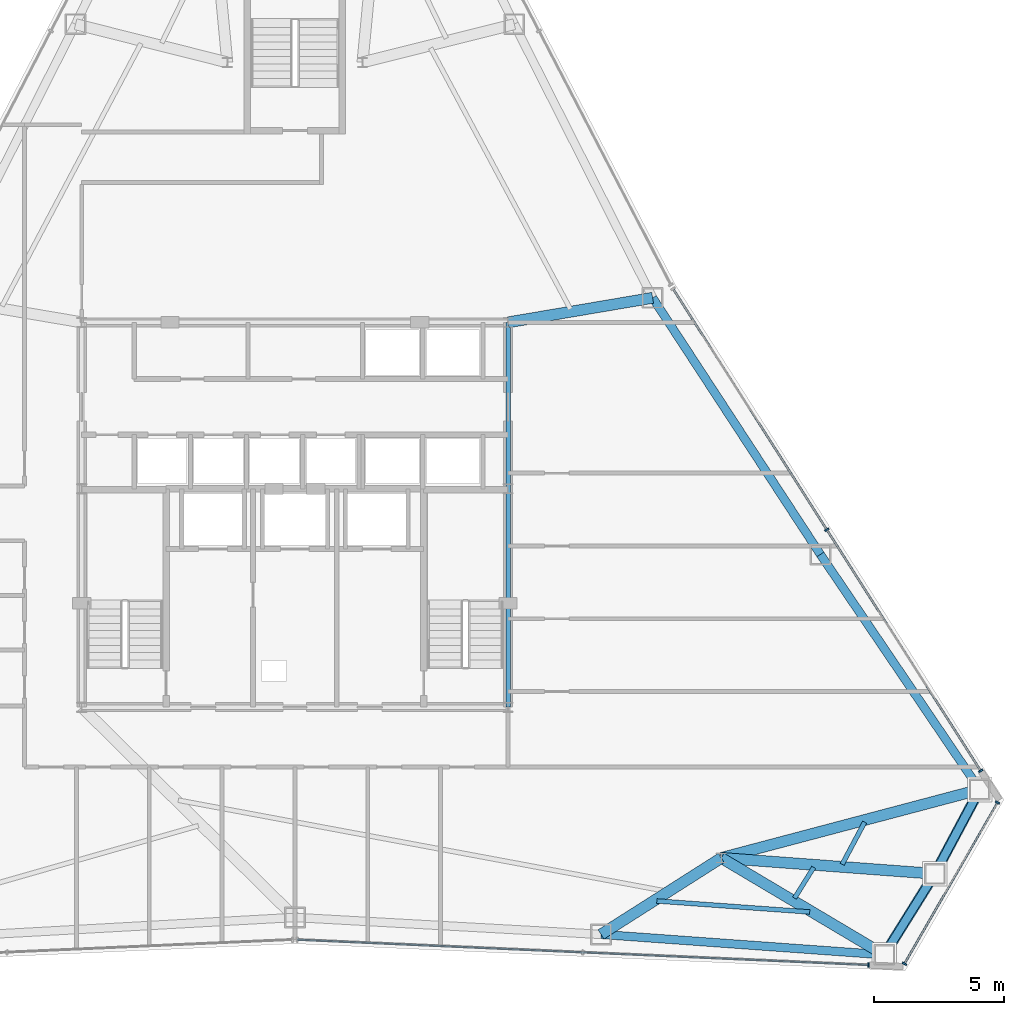
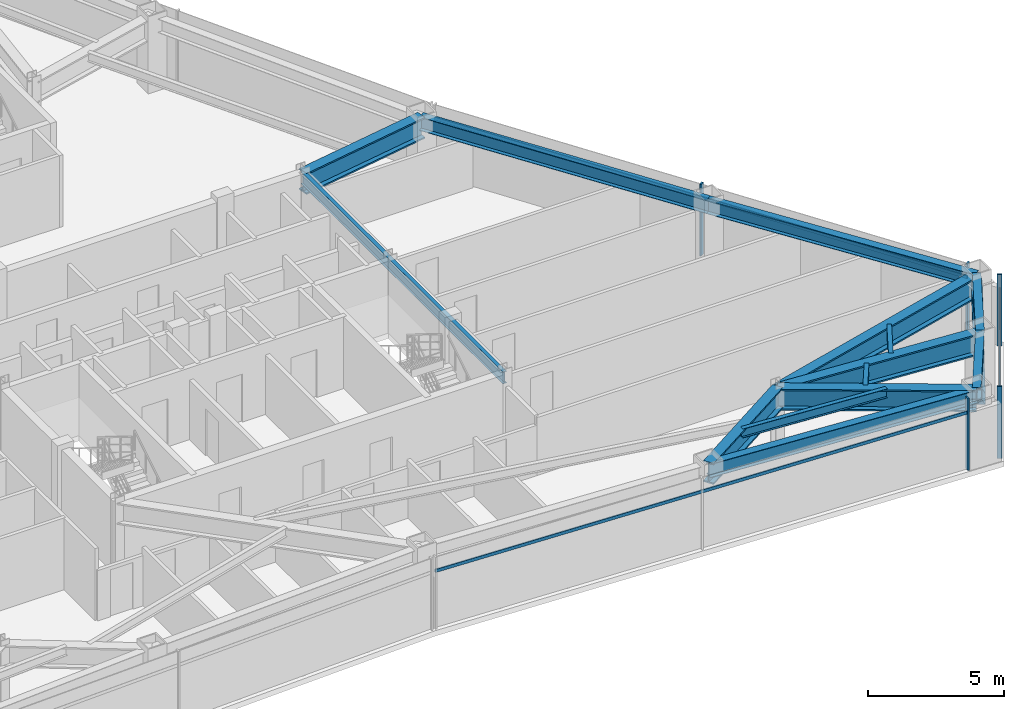
# One storey, part 7 of 13: 14 beams, 10 members, 3 elements without a shape of their own.
"""IFC4 building model written with IfcOpenShell, lengths in metres."""

from ifc_helpers import new_model, si_unit, direction, frame, origin, origin_2d, place, context, subcontext, project, spatial, rectangle, hollow_rectangle, i_section, extrude, source, transform, mapped, material, layer, layer_set, material_profile, profile_set, type_object, type_shapes, element, aggregate, save


model = new_model("IFC4")

# Units and contexts
model_context = context("Model", 3, precision=1e-05, world=origin(), true_north=direction((0.0, 1.0)))
body_context = subcontext(model_context, "Body", "Model", "MODEL_VIEW")
ifc_project = project(units=[si_unit("LENGTHUNIT", "METRE"), si_unit("AREAUNIT", "SQUARE_METRE"), si_unit("VOLUMEUNIT", "CUBIC_METRE"), si_unit("PLANEANGLEUNIT", "RADIAN"), si_unit("MASSUNIT", "GRAM", prefix="KILO")], contexts=[model_context])

# Site, building, storey
site_placement = place(None, origin())
site = spatial("IfcSite", under=ifc_project, at=site_placement, CompositionType="ELEMENT")
building_placement = place(site_placement, origin())
building = spatial("IfcBuilding", under=site, at=building_placement, Name="Varakhsha Concourse Tower", CompositionType="ELEMENT")
storey_placement = place(building_placement, frame((0.0, 0.0, 186.14990234375)))
storey = spatial("IfcBuildingStorey", under=building, at=storey_placement, Name="L53", CompositionType="ELEMENT", Elevation=186.14990234375)

# Beams
ifc_material_1 = material(Name="Structural Steel ASTM A992 Grade 50", Category="steel")
ifc_material_profile_1 = material_profile(ifc_material_1, i_section(OverallWidth=0.177978515625, OverallDepth=0.406982421875, WebThickness=0.008056640625, FlangeThickness=0.012939453125, at=origin_2d()), Name="W16X40")
ifc_profile_set_1 = profile_set([ifc_material_profile_1], Name="Structural Steel ASTM A992 Grade 50")
beam_type_1 = type_object("IfcBeamType", Name="BM-JST-W16X40", PredefinedType="JOIST", material=ifc_profile_set_1)
beam_1_placement = place(storey_placement, frame((53.919921875, 8.9453125, 3.006591796875), z_axis=(0.99741309669, -0.071882644298, 0.0), x_axis=(0.071882644298, 0.99741309669, 0.0)))
element("IfcBeam", 1, at=beam_1_placement, inside=storey, type_object=beam_type_1, Name="BM-TJST-L53-12", PredefinedType="JOIST", context=body_context, shape_type="SweptSolid", body=[
    extrude(i_section(OverallWidth=0.177978515625, OverallDepth=0.406982421875, WebThickness=0.008056640625, FlangeThickness=0.012939453125, at=origin_2d()), origin(), (0.0, 0.0, 1.0), 5.89599609375),
])
beam_2_placement = place(storey_placement, frame((59.216552734375, 9.05419921875, 3.006591796875), z_axis=(0.528881928693, 0.848695413857, 0.0), x_axis=(-0.848695413857, 0.528881928693, 0.0)))
element("IfcBeam", 2, at=beam_2_placement, inside=storey, type_object=beam_type_1, Name="BM-TJST-L53-13", PredefinedType="JOIST", context=body_context, shape_type="SweptSolid", body=[
    extrude(i_section(OverallWidth=0.177978515625, OverallDepth=0.406982421875, WebThickness=0.008056640625, FlangeThickness=0.012939453125, at=origin_2d()), origin(), (0.0, 0.0, 1.0), 1.3955078125),
])
beam_3_placement = place(storey_placement, frame((61.0498046875, 10.35595703125, 3.006591796875), z_axis=(0.470615835547, 0.882338220487, 0.0), x_axis=(-0.882338220487, 0.470615835547, 0.0)))
element("IfcBeam", 3, at=beam_3_placement, inside=storey, type_object=beam_type_1, Name="BM-TJST-L53-14", PredefinedType="JOIST", context=body_context, shape_type="SweptSolid", body=[
    extrude(i_section(OverallWidth=0.177978515625, OverallDepth=0.406982421875, WebThickness=0.008056640625, FlangeThickness=0.012939453125, at=origin_2d()), origin(), (0.0, 0.0, 1.0), 1.83642578125),
])
ifc_material_profile_2 = material_profile(ifc_material_1, i_section(OverallWidth=0.423095703125, OverallDepth=0.947998046875, WebThickness=0.0380859375, FlangeThickness=0.06396484375, at=origin_2d()), Name="W36X302")
ifc_profile_set_2 = profile_set([ifc_material_profile_2], Name="Structural Steel ASTM A992 Grade 50")
beam_type_2 = type_object("IfcBeamType", Name="BM-OUTR-W36X302", PredefinedType="USERDEFINED", material=ifc_profile_set_2)
beam_4_placement = place(storey_placement, frame((56.39990234375, 10.60009765625, 2.736083984375), z_axis=(-0.843843041269, -0.536590087218, 0.0), x_axis=(0.536590087218, -0.843843041269, 0.0)))
element("IfcBeam", 4, at=beam_4_placement, inside=storey, type_object=beam_type_2, Name="L53 Radial Floor Girder 12", ObjectType="GIRDER", PredefinedType="USERDEFINED", context=body_context, shape_type="SweptSolid", body=[
    extrude(i_section(OverallWidth=0.423095703125, OverallDepth=0.947998046875, WebThickness=0.0380859375, FlangeThickness=0.06396484375, at=origin_2d()), origin(), (0.0, 0.0, 1.0), 5.480224609375),
])
beam_5_placement = place(storey_placement, frame((56.39990234375, 10.60009765625, 2.736083984375), z_axis=(0.859653517762, -0.510877509193, 0.0), x_axis=(0.510877509193, 0.859653517762, 0.0)))
element("IfcBeam", 5, at=beam_5_placement, inside=storey, type_object=beam_type_2, Name="L53 Radial Floor Girder 13", ObjectType="GIRDER", PredefinedType="USERDEFINED", context=body_context, shape_type="SweptSolid", body=[
    extrude(i_section(OverallWidth=0.423095703125, OverallDepth=0.947998046875, WebThickness=0.0380859375, FlangeThickness=0.06396484375, at=origin_2d()), origin(), (0.0, 0.0, 1.0), 7.29248046875),
])
beam_6_placement = place(storey_placement, frame((56.39990234375, 10.60009765625, 2.736083984375), z_axis=(0.997259576834, -0.073982000601, 0.0), x_axis=(0.073982000601, 0.997259576834, 0.0)))
element("IfcBeam", 6, at=beam_6_placement, inside=storey, type_object=beam_type_2, Name="L53 Radial Floor Girder 14", ObjectType="GIRDER", PredefinedType="USERDEFINED", context=body_context, shape_type="SweptSolid", body=[
    extrude(i_section(OverallWidth=0.423095703125, OverallDepth=0.947998046875, WebThickness=0.0380859375, FlangeThickness=0.06396484375, at=origin_2d()), origin(), (0.0, 0.0, 1.0), 8.2333984375),
])
beam_7_placement = place(storey_placement, frame((56.39990234375, 10.60009765625, 2.736083984375), z_axis=(0.966706264469, 0.255888644213, 0.0), x_axis=(-0.255888644213, 0.966706264469, 0.0)))
element("IfcBeam", 7, at=beam_7_placement, inside=storey, type_object=beam_type_2, Name="L53 Radial Floor Girder 15", ObjectType="GIRDER", PredefinedType="USERDEFINED", context=body_context, shape_type="SweptSolid", body=[
    extrude(i_section(OverallWidth=0.423095703125, OverallDepth=0.947998046875, WebThickness=0.0380859375, FlangeThickness=0.06396484375, at=origin_2d()), origin(), (0.0, 0.0, 1.0), 10.28125),
])
beam_8_placement = place(storey_placement, frame((48.199951171875, 31.199951171875, 2.736083984375), z_axis=(0.985890879111, 0.167389290235, 0.0), x_axis=(-0.167389290235, 0.985890879111, 0.0)))
element("IfcBeam", 8, at=beam_8_placement, inside=storey, type_object=beam_type_2, Name="L53 Radial Floor Girder 17", ObjectType="GIRDER", PredefinedType="USERDEFINED", context=body_context, shape_type="SweptSolid", body=[
    extrude(i_section(OverallWidth=0.423095703125, OverallDepth=0.947998046875, WebThickness=0.0380859375, FlangeThickness=0.06396484375, at=origin_2d()), origin(), (0.0, 0.0, 1.0), 5.638671875),
])
ifc_material_profile_3 = material_profile(ifc_material_1, i_section(OverallWidth=0.1669921875, OverallDepth=0.534912109375, WebThickness=0.010009765625, FlangeThickness=0.01708984375, at=origin_2d()), Name="W21X57")
ifc_profile_set_3 = profile_set([ifc_material_profile_3], Name="Structural Steel ASTM A992 Grade 50")
beam_type_3 = type_object("IfcBeamType", Name="BM-RAD-W21X57", PredefinedType="BEAM", material=ifc_profile_set_3)
beam_9_placement = place(storey_placement, frame((48.199951171875, 16.39990234375, 2.942626953125), z_axis=(0.0, 1.0, 0.0), x_axis=(-1.0, 0.0, 0.0)))
element("IfcBeam", 9, at=beam_9_placement, inside=storey, type_object=beam_type_3, Name="BM-TCORE-L53-CE", PredefinedType="BEAM", context=body_context, shape_type="SweptSolid", body=[
    extrude(i_section(OverallWidth=0.1669921875, OverallDepth=0.534912109375, WebThickness=0.010009765625, FlangeThickness=0.01708984375, at=origin_2d()), origin(), (0.0, 0.0, 1.0), 14.800048828125),
])
ifc_material_profile_4 = material_profile(ifc_material_1, i_section(OverallWidth=0.323974609375, OverallDepth=0.611083984375, WebThickness=0.012939453125, FlangeThickness=0.01904296875, at=origin_2d()), Name="W24X104")
ifc_profile_set_4 = profile_set([ifc_material_profile_4], Name="Structural Steel ASTM A992 Grade 50")
beam_type_4 = type_object("IfcBeamType", Name="BM-SPAN-W24X104", PredefinedType="SPANDREL", material=ifc_profile_set_4)
beam_10_placement = place(storey_placement, frame((51.775390625, 7.659423828125, 2.904541015625), z_axis=(0.997414254254, -0.071866580624, 0.0), x_axis=(0.071866580624, 0.997414254254, 0.0)))
element("IfcBeam", 10, at=beam_10_placement, inside=storey, type_object=beam_type_4, Name="BM-SPAN-L53-12", PredefinedType="SPANDREL", context=body_context, shape_type="SweptSolid", body=[
    extrude(i_section(OverallWidth=0.323974609375, OverallDepth=0.611083984375, WebThickness=0.012939453125, FlangeThickness=0.01904296875, at=origin_2d()), origin(), (0.0, 0.0, 1.0), 10.921875),
])
beam_11_placement = place(storey_placement, frame((62.6689453125, 6.87451171875, 2.904541015625), z_axis=(0.528844996181, 0.848718427993, 0.0), x_axis=(-0.848718427993, 0.528844996181, 0.0)))
element("IfcBeam", 11, at=beam_11_placement, inside=storey, type_object=beam_type_4, Name="BM-SPAN-L53-13", PredefinedType="SPANDREL", context=body_context, shape_type="SweptSolid", body=[
    extrude(i_section(OverallWidth=0.323974609375, OverallDepth=0.611083984375, WebThickness=0.012939453125, FlangeThickness=0.01904296875, at=origin_2d()), origin(), (0.0, 0.0, 1.0), 3.671875),
])
beam_12_placement = place(storey_placement, frame((64.61083984375, 9.990966796875, 2.904541015625), z_axis=(0.470595137047, 0.882349260207, 0.0), x_axis=(-0.882349260207, 0.470595137047, 0.0)))
element("IfcBeam", 12, at=beam_12_placement, inside=storey, type_object=beam_type_4, Name="BM-SPAN-L53-14", PredefinedType="SPANDREL", context=body_context, shape_type="SweptSolid", body=[
    extrude(i_section(OverallWidth=0.323974609375, OverallDepth=0.611083984375, WebThickness=0.012939453125, FlangeThickness=0.01904296875, at=origin_2d()), origin(), (0.0, 0.0, 1.0), 3.672119140625),
])
beam_13_placement = place(storey_placement, frame((66.3388671875, 13.23095703125, 2.904541015625), z_axis=(-0.560946995481, 0.827851718764, 0.0), x_axis=(-0.827851718764, -0.560946995481, 0.0)))
element("IfcBeam", 13, at=beam_13_placement, inside=storey, type_object=beam_type_4, Name="BM-SPAN-L53-15", PredefinedType="SPANDREL", context=body_context, shape_type="SweptSolid", body=[
    extrude(i_section(OverallWidth=0.323974609375, OverallDepth=0.611083984375, WebThickness=0.012939453125, FlangeThickness=0.01904296875, at=origin_2d()), origin(), (0.0, 0.0, 1.0), 10.921630859375),
])
beam_14_placement = place(storey_placement, frame((60.21240234375, 22.2724609375, 2.904541015625), z_axis=(-0.547191913487, 0.837007174291, 0.0), x_axis=(-0.837007174291, -0.547191913487, 0.0)))
element("IfcBeam", 14, at=beam_14_placement, inside=storey, type_object=beam_type_4, Name="BM-SPAN-L53-16", PredefinedType="SPANDREL", context=body_context, shape_type="SweptSolid", body=[
    extrude(i_section(OverallWidth=0.323974609375, OverallDepth=0.611083984375, WebThickness=0.012939453125, FlangeThickness=0.01904296875, at=origin_2d()), origin(), (0.0, 0.0, 1.0), 11.793701171875),
])

# Members
ifc_material_2 = material(Name="Structural Steel ASTM A500 Grade C", Category="steel")
ifc_material_profile_5 = material_profile(ifc_material_2, hollow_rectangle(XDim=0.39990234375, YDim=0.39990234375, WallThickness=0.01611328125, at=origin_2d()), Name="HSS 400x400x16")
ifc_profile_set_5 = profile_set([ifc_material_profile_5], Name="Structural Steel ASTM A500 Grade C")
member_type_1 = type_object("IfcMemberType", Name="MB-TUBE-HSS400", PredefinedType="BRACE", material=ifc_profile_set_5)
shared_shape_1 = source(origin(), body_context, "Body", "SweptSolid", [
    extrude(hollow_rectangle(XDim=0.39990234375, YDim=0.39990234375, WallThickness=0.01611328125, at=origin_2d()), origin(), (0.0, 0.0, 1.0), 4.61181640625),
])
member_1_placement = place(storey_placement, frame((64.61083984375, 9.990966796875, 0.1201171875), z_axis=(0.37470368715, 0.702556178604, 0.60498922531), x_axis=(-0.882349260207, 0.470595137047, 0.0)))
element("IfcMember", 15, at=member_1_placement, inside=storey, type_object=member_type_1, Name="L53 Wind-Corner Tube Brace B06", PredefinedType="BRACE", context=body_context, shape_type="MappedRepresentation", body=[
    mapped(shared_shape_1, transform((0.0, 0.0, 0.0), scale=1.0)),
])
shared_shape_2 = source(origin(), body_context, "Body", "SweptSolid", [
    extrude(hollow_rectangle(XDim=0.39990234375, YDim=0.39990234375, WallThickness=0.01611328125, at=origin_2d()), origin(), (0.0, 0.0, 1.0), 4.611572265625),
])
type_shapes(member_type_1, [shared_shape_1, shared_shape_2])
member_2_placement = place(storey_placement, frame((64.61083984375, 9.990966796875, 0.1201171875), z_axis=(-0.421082078915, -0.675774797253, 0.604994467921), x_axis=(0.848718427993, -0.528844996181, 0.0)))
element("IfcMember", 16, at=member_2_placement, inside=storey, type_object=member_type_1, Name="L53 Wind-Corner Tube Brace B05", PredefinedType="BRACE", context=body_context, shape_type="MappedRepresentation", body=[
    mapped(shared_shape_2, transform((0.0, 0.0, 0.0), scale=1.0)),
])

# Curtain wall, member
ifc_material_3 = material(Name="Anodised Bronze Architectural Aluminium AA 6063-T6", Category="aluminium")
ifc_layer = layer(ifc_material_3, 0.2099609375, Name="CW-SYS-04")
ifc_layer_set = layer_set([ifc_layer], Name="Anodised Bronze Architectural Aluminium AA 6063-T6")
curtain_wall_type = type_object("IfcCurtainWallType", Name="CW-SYS-04", PredefinedType="NOTDEFINED", material=ifc_layer_set)
curtain_wall_1_placement = place(storey_placement, origin())
curtain_wall_1 = element("IfcCurtainWall", 17, at=curtain_wall_1_placement, inside=storey, type_object=curtain_wall_type, Name="L53 Crystal Curtain Wall F6", PredefinedType="NOTDEFINED")
ifc_material_profile_6 = material_profile(ifc_material_3, rectangle(XDim=0.06494140625, YDim=0.179931640625, at=origin_2d()), Name="CWM-180X65")
ifc_profile_set_6 = profile_set([ifc_material_profile_6], Name="Anodised Bronze Architectural Aluminium AA 6063-T6")
member_type_2 = type_object("IfcMemberType", Name="CWM-180X65", PredefinedType="MULLION", material=ifc_profile_set_6)
shared_shape_3 = source(origin(), body_context, "Body", "SweptSolid", [
    extrude(rectangle(XDim=0.06494140625, YDim=0.179931640625, at=origin_2d()), origin(), (0.0, 0.0, 1.0), 3.210205078125),
])
type_shapes(member_type_2, [shared_shape_3])
member_3_placement = place(storey_placement, frame((62.0615234375, 6.482666015625, 0.0), z_axis=(0.0, 0.0, 1.0), x_axis=(-0.999018917807, 0.04428545883, 0.0)))
member_3 = element("IfcMember", 18, at=member_3_placement, type_object=member_type_2, Name="CW-L53-F6 Mullion 00", PredefinedType="MULLION", context=body_context, shape_type="MappedRepresentation", body=[
    mapped(shared_shape_3, transform((0.0, 0.0, 0.0), scale=1.0)),
])

# Curtain wall, members
curtain_wall_2_placement = place(storey_placement, origin())
curtain_wall_2 = element("IfcCurtainWall", 19, at=curtain_wall_2_placement, inside=storey, type_object=curtain_wall_type, Name="L53 Chamfer Curtain Wall F7", PredefinedType="NOTDEFINED")
member_4_placement = place(storey_placement, frame((67.0244140625, 12.731201171875, 0.0), z_axis=(0.0, 0.0, 1.0), x_axis=(-0.499996976998, -0.866027149108, 0.0)))
member_4 = element("IfcMember", 20, at=member_4_placement, type_object=member_type_2, Name="CW-L53-F7 Mullion 00", PredefinedType="MULLION", context=body_context, shape_type="MappedRepresentation", body=[
    mapped(shared_shape_3, transform((0.0, 0.0, 0.0), scale=1.0)),
])
member_5_placement = place(storey_placement, frame((63.4443359375, 6.530517578125, 0.0), z_axis=(0.0, 0.0, 1.0), x_axis=(-0.499996976998, -0.866027149108, 0.0)))
member_5 = element("IfcMember", 21, at=member_5_placement, type_object=member_type_2, Name="CW-L53-F7 Mullion 01", PredefinedType="MULLION", context=body_context, shape_type="MappedRepresentation", body=[
    mapped(shared_shape_3, transform((0.0, 0.0, 0.0), scale=1.0)),
])

curtain_wall_3_placement = place(storey_placement, origin())
curtain_wall_3 = element("IfcCurtainWall", 22, at=curtain_wall_3_placement, inside=storey, type_object=curtain_wall_type, Name="L53 Crystal Curtain Wall F8", PredefinedType="NOTDEFINED")
member_6_placement = place(storey_placement, frame((60.458984375, 23.224609375, 0.0), z_axis=(0.0, 0.0, 1.0), x_axis=(0.537863262638, -0.84303209352, 0.0)))
member_6 = element("IfcMember", 23, at=member_6_placement, type_object=member_type_2, Name="CW-L53-F8 Mullion 01", PredefinedType="MULLION", context=body_context, shape_type="MappedRepresentation", body=[
    mapped(shared_shape_3, transform((0.0, 0.0, 0.0), scale=1.0)),
])
member_7_placement = place(storey_placement, frame((66.37451171875, 13.952880859375, 0.0), z_axis=(0.0, 0.0, 1.0), x_axis=(0.537863262638, -0.84303209352, 0.0)))
member_7 = element("IfcMember", 24, at=member_7_placement, type_object=member_type_2, Name="CW-L53-F8 Mullion 02", PredefinedType="MULLION", context=body_context, shape_type="MappedRepresentation", body=[
    mapped(shared_shape_3, transform((0.0, 0.0, 0.0), scale=1.0)),
])

# Member
ifc_material_profile_7 = material_profile(ifc_material_3, rectangle(XDim=0.06005859375, YDim=0.139892578125, at=origin_2d()), Name="CWT-140X60")
ifc_profile_set_7 = profile_set([ifc_material_profile_7], Name="Anodised Bronze Architectural Aluminium AA 6063-T6")
member_type_3 = type_object("IfcMemberType", Name="CWT-140X60", PredefinedType="USERDEFINED", material=ifc_profile_set_7)
shared_shape_4 = source(origin(), body_context, "Body", "SweptSolid", [
    extrude(rectangle(XDim=0.06005859375, YDim=0.139892578125, at=origin_2d()), origin(), (0.0, 0.0, 1.0), 21.99609375),
])
member_8_placement = place(storey_placement, frame((62.0615234375, 6.482666015625, 2.56005859375), z_axis=(-0.999018898193, 0.044285901295, 0.0), x_axis=(-0.044285901295, -0.999018898193, 0.0)))
member_8 = element("IfcMember", 25, at=member_8_placement, type_object=member_type_3, Name="CW-L53-F6 Transom 01", ObjectType="TRANSOM", PredefinedType="USERDEFINED", context=body_context, shape_type="MappedRepresentation", body=[
    mapped(shared_shape_4, transform((0.0, 0.0, 0.0), scale=1.0)),
])

aggregate(curtain_wall_1, [member_3, member_8])

member_9_placement = place(storey_placement, frame((54.54345703125, 32.49609375, 2.56005859375), z_axis=(0.537872683916, -0.843026082572, 0.0), x_axis=(0.843026082572, 0.537872683916, 0.0)))
member_9 = element("IfcMember", 26, at=member_9_placement, type_object=member_type_3, Name="CW-L53-F8 Transom 01", ObjectType="TRANSOM", PredefinedType="USERDEFINED", context=body_context, shape_type="MappedRepresentation", body=[
    mapped(shared_shape_4, transform((0.0, 0.0, 0.0), scale=1.0)),
])

aggregate(curtain_wall_3, [member_6, member_7, member_9])

shared_shape_5 = source(origin(), body_context, "Body", "SweptSolid", [
    extrude(rectangle(XDim=0.06005859375, YDim=0.139892578125, at=origin_2d()), origin(), (0.0, 0.0, 1.0), 7.159912109375),
])
type_shapes(member_type_3, [shared_shape_4, shared_shape_5])
member_10_placement = place(storey_placement, frame((67.0244140625, 12.731201171875, 2.56005859375), z_axis=(-0.500011709085, -0.866018643436, 0.0), x_axis=(0.866018643436, -0.500011709085, 0.0)))
member_10 = element("IfcMember", 27, at=member_10_placement, type_object=member_type_3, Name="CW-L53-F7 Transom 01", ObjectType="TRANSOM", PredefinedType="USERDEFINED", context=body_context, shape_type="MappedRepresentation", body=[
    mapped(shared_shape_5, transform((0.0, 0.0, 0.0), scale=1.0)),
])

aggregate(curtain_wall_2, [member_4, member_5, member_10])

save(model, "model.ifc")
